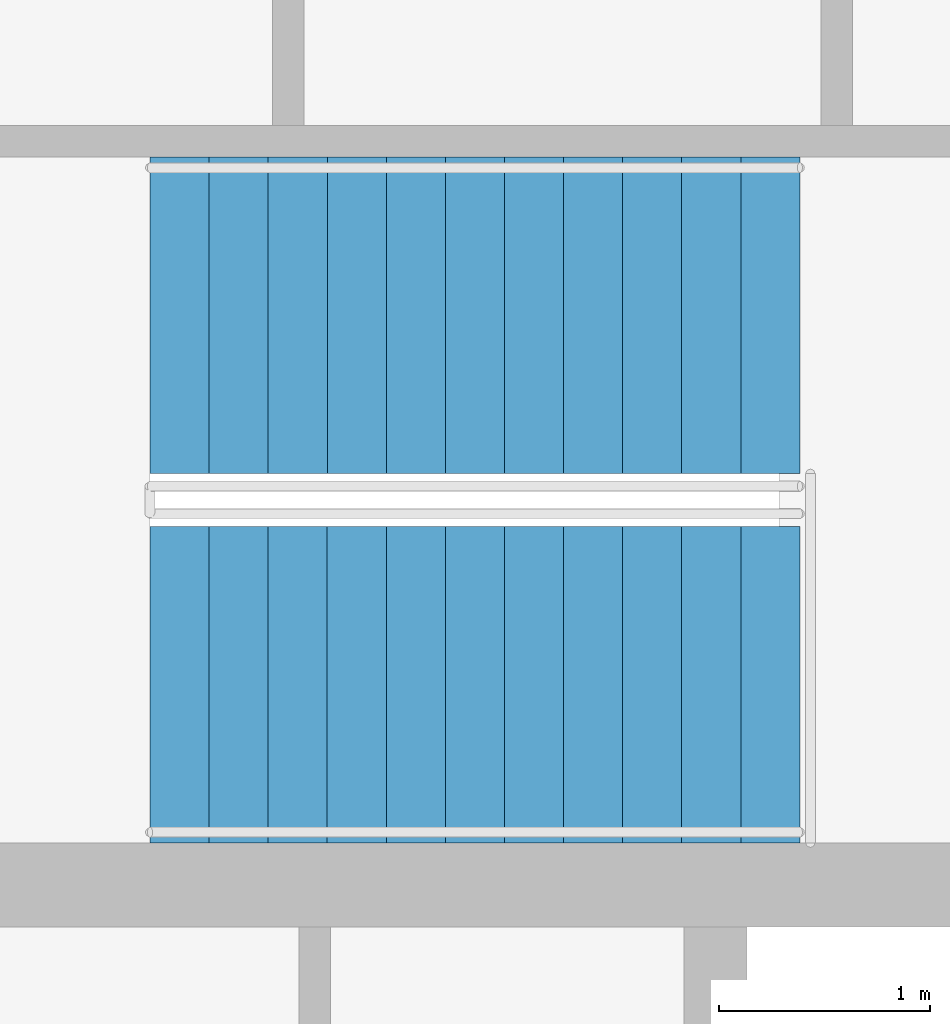
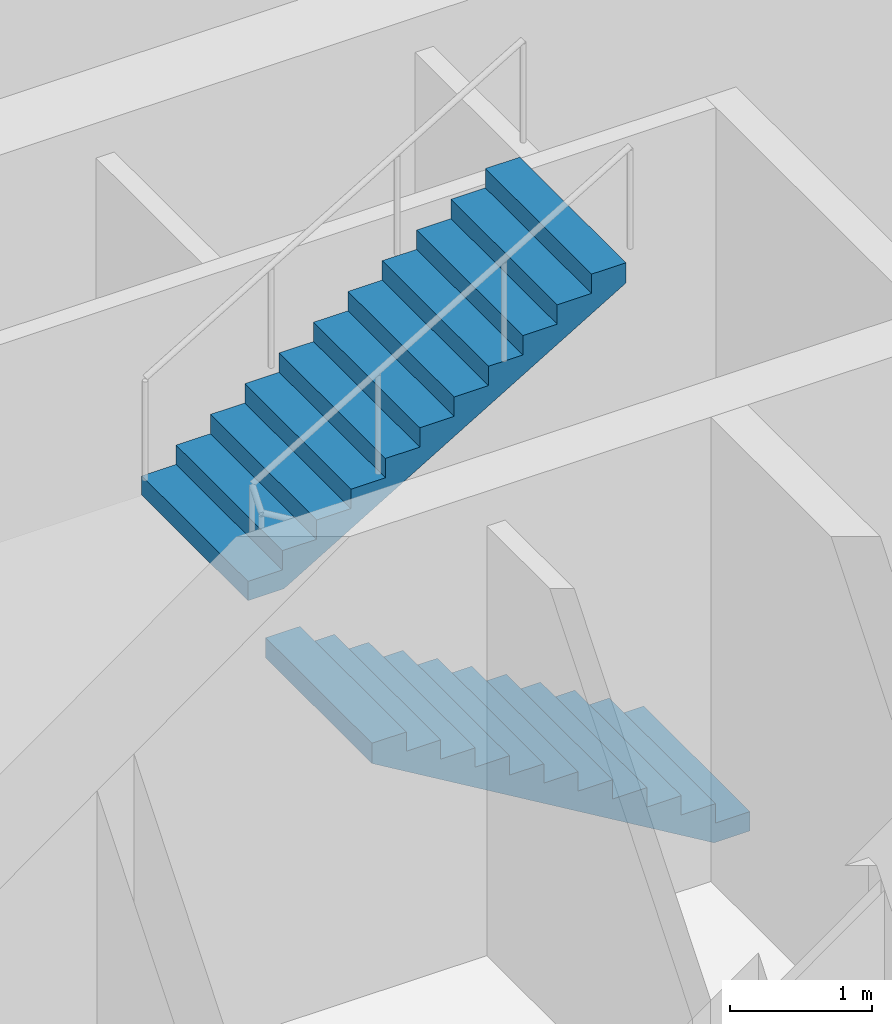
# One storey, part 8 of 11: 2 stair flights, 1 element without a shape of its own.
"""IFC4 building model written with IfcOpenShell, lengths in metres."""

from ifc_helpers import new_model, si_unit, direction, frame, origin, place, context, subcontext, project, spatial, polyline, outline, extrude, material, type_object, element, aggregate, save


model = new_model("IFC4")

# Units and contexts
model_context = context("Model", 3, precision=1e-05, world=origin(), true_north=direction((0.0, 1.0)))
body_context = subcontext(model_context, "Body", "Model", "MODEL_VIEW")
ifc_project = project(units=[si_unit("LENGTHUNIT", "METRE"), si_unit("AREAUNIT", "SQUARE_METRE"), si_unit("VOLUMEUNIT", "CUBIC_METRE"), si_unit("PLANEANGLEUNIT", "RADIAN"), si_unit("MASSUNIT", "GRAM", prefix="KILO")], contexts=[model_context])

# Site, building, storey
site_placement = place(None, origin())
site = spatial("IfcSite", under=ifc_project, at=site_placement, CompositionType="ELEMENT")
building_placement = place(site_placement, origin())
building = spatial("IfcBuilding", under=site, at=building_placement, Name="Halqa Exchange Tower", CompositionType="ELEMENT")
storey_placement = place(building_placement, frame((0.0, 0.0, 234.89990234375)))
storey = spatial("IfcBuildingStorey", under=building, at=storey_placement, Name="L54", CompositionType="ELEMENT", Elevation=234.89990234375)

# Stair, stair flights
ifc_material = material(Name="Concrete C30/37", Category="concrete")
stair_type = type_object("IfcStairType", Name="Exit stair 1500 wide", PredefinedType="HALF_TURN_STAIR", material=ifc_material)
stair_placement = place(storey_placement, origin())
stair = element("IfcStair", 1, at=stair_placement, inside=storey, type_object=stair_type, Name="Exit stair ST2", PredefinedType="HALF_TURN_STAIR")
stair_flight_type = type_object("IfcStairFlightType", Name="Stair flight 1500 wide", PredefinedType="STRAIGHT", material=ifc_material)
stair_flight_1_placement = place(storey_placement, frame((6.64990234375, 7.25, 0.0), z_axis=(0.0, 0.0, 1.0), x_axis=(-1.0, 0.0, 0.0)))
stair_flight_1 = element("IfcStairFlight", 2, at=stair_flight_1_placement, type_object=stair_flight_type, Name="ST2 flight 1", NumberOfRisers=12, NumberOfTreads=11, PredefinedType="STRAIGHT", RiserHeight=0.166666667, TreadLength=0.28, context=body_context, shape_type="SweptSolid", body=[
    extrude(outline(polyline([(0.0, 0.0), (0.0, 0.166748046875), (0.280029296875, 0.166748046875), (0.280029296875, 0.333251953125), (0.56005859375, 0.333251953125), (0.56005859375, 0.5), (0.840087890625, 0.5), (0.840087890625, 0.666748046875), (1.1201171875, 0.666748046875), (1.1201171875, 0.833251953125), (1.39990234375, 0.833251953125), (1.39990234375, 1.0), (1.679931640625, 1.0), (1.679931640625, 1.166748046875), (1.9599609375, 1.166748046875), (1.9599609375, 1.333251953125), (2.239990234375, 1.333251953125), (2.239990234375, 1.5), (2.52001953125, 1.5), (2.52001953125, 1.666748046875), (2.800048828125, 1.666748046875), (2.800048828125, 1.833251953125), (3.080078125, 1.833251953125), (3.080078125, 2.0), (3.080078125, 1.658935546875), (0.29296875, 0.0), (0.0, 0.0)])), frame((0.0, 0.75, 0.0), z_axis=(0.0, -1.0, 0.0), x_axis=(1.0, 0.0, 0.0)), (0.0, 0.0, 1.0), 1.5),
])
stair_flight_2_placement = place(storey_placement, frame((3.570068359375, 9.0, 2.0), z_axis=(0.0, 0.0, 1.0), x_axis=(1.0, 0.0, 0.0)))
stair_flight_2 = element("IfcStairFlight", 3, at=stair_flight_2_placement, type_object=stair_flight_type, Name="ST2 flight 2", NumberOfRisers=12, NumberOfTreads=11, PredefinedType="STRAIGHT", RiserHeight=0.166666667, TreadLength=0.28, context=body_context, shape_type="SweptSolid", body=[
    extrude(outline(polyline([(0.0, 0.0), (0.0, 0.166748046875), (0.280029296875, 0.166748046875), (0.280029296875, 0.333251953125), (0.56005859375, 0.333251953125), (0.56005859375, 0.5), (0.840087890625, 0.5), (0.840087890625, 0.666748046875), (1.1201171875, 0.666748046875), (1.1201171875, 0.833251953125), (1.39990234375, 0.833251953125), (1.39990234375, 1.0), (1.679931640625, 1.0), (1.679931640625, 1.166748046875), (1.9599609375, 1.166748046875), (1.9599609375, 1.333251953125), (2.239990234375, 1.333251953125), (2.239990234375, 1.5), (2.52001953125, 1.5), (2.52001953125, 1.666748046875), (2.800048828125, 1.666748046875), (2.800048828125, 1.833251953125), (3.080078125, 1.833251953125), (3.080078125, 2.0), (3.080078125, 1.658935546875), (0.29296875, 0.0), (0.0, 0.0)])), frame((0.0, 0.75, 0.0), z_axis=(0.0, -1.0, 0.0), x_axis=(1.0, 0.0, 0.0)), (0.0, 0.0, 1.0), 1.5),
])
aggregate(stair, [stair_flight_1, stair_flight_2])

save(model, "model.ifc")
